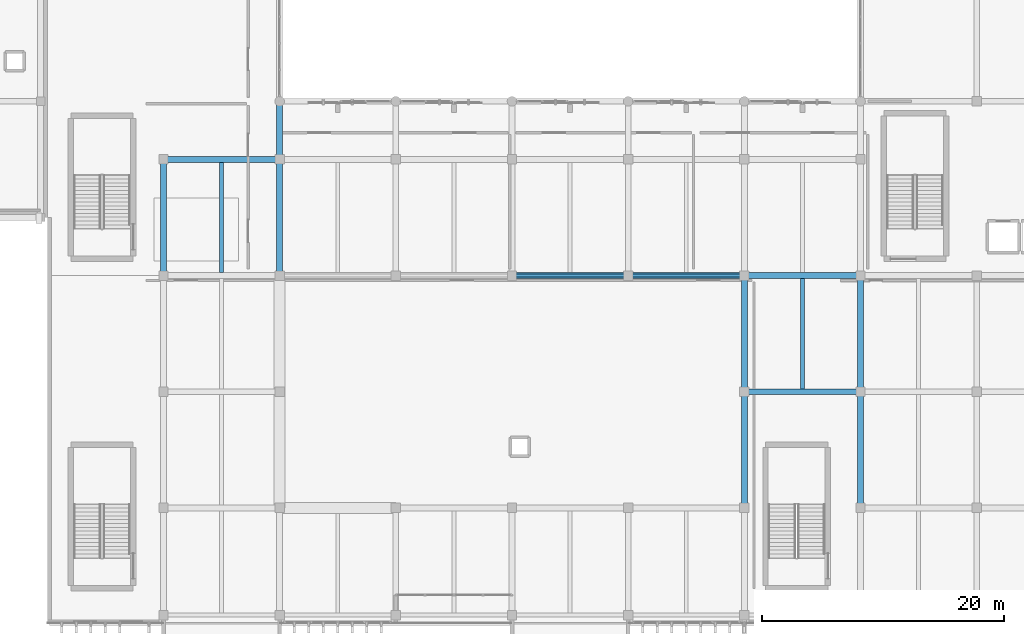
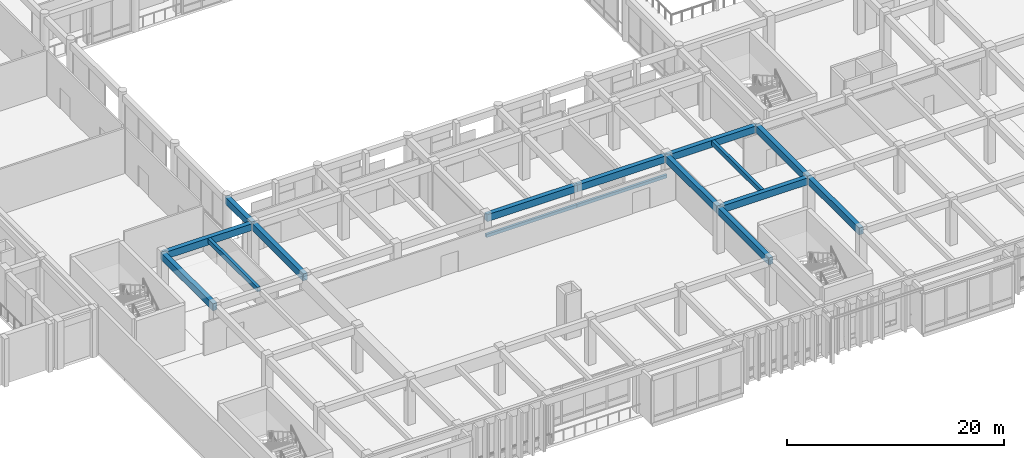
# One storey, part 23 of 134: 16 beams.
"""IFC4 building model written with IfcOpenShell, lengths in metres."""

from ifc_helpers import new_model, si_unit, direction, frame, origin, origin_2d, place, context, subcontext, project, spatial, rectangle, extrude, material, material_profile, profile_set, type_object, element, save


model = new_model("IFC4")

# Units and contexts
model_context = context("Model", 3, precision=1e-05, world=origin(), true_north=direction((0.0, 1.0)))
body_context = subcontext(model_context, "Body", "Model", "MODEL_VIEW")
ifc_project = project(units=[si_unit("LENGTHUNIT", "METRE"), si_unit("AREAUNIT", "SQUARE_METRE"), si_unit("VOLUMEUNIT", "CUBIC_METRE"), si_unit("PLANEANGLEUNIT", "RADIAN"), si_unit("MASSUNIT", "GRAM", prefix="KILO")], contexts=[model_context])

# Site, building, storey
site_placement = place(None, origin())
site = spatial("IfcSite", under=ifc_project, at=site_placement, CompositionType="ELEMENT")
building_placement = place(site_placement, origin())
building = spatial("IfcBuilding", under=site, at=building_placement, Name="Nakhvara Creek Congress Hotel", CompositionType="ELEMENT")
storey_placement = place(building_placement, frame((0.0, 0.0, 6.0)))
storey = spatial("IfcBuildingStorey", under=building, at=storey_placement, Name="L01", CompositionType="ELEMENT", Elevation=6.0)

# Beams
ifc_material = material(Name="Concrete C40/50", Category="concrete")
ifc_material_profile_1 = material_profile(ifc_material, rectangle(XDim=0.25, YDim=0.35009765625, at=origin_2d()), Name="RC-LINTEL 250x350", Category="LoadBearing")
ifc_profile_set_1 = profile_set([ifc_material_profile_1], Name="Concrete C40/50")
beam_type_1 = type_object("IfcBeamType", Name="BM-LIN-250X350", PredefinedType="LINTEL", material=ifc_profile_set_1)
beam_1_placement = place(storey_placement, frame((96.0, 28.800048828125, 2.64990234375), z_axis=(1.0, 0.0, 0.0), x_axis=(0.0, 1.0, 0.0)))
element("IfcBeam", 1, at=beam_1_placement, inside=storey, type_object=beam_type_1, Name="Opening Lintel Beam 07", PredefinedType="LINTEL", context=body_context, shape_type="SweptSolid", body=[
    extrude(rectangle(XDim=0.25, YDim=0.35009765625, at=origin_2d()), origin(), (0.0, 0.0, 1.0), 9.60009765625),
])
beam_2_placement = place(storey_placement, frame((105.60009765625, 28.800048828125, 2.64990234375), z_axis=(1.0, 0.0, 0.0), x_axis=(0.0, 1.0, 0.0)))
element("IfcBeam", 2, at=beam_2_placement, inside=storey, type_object=beam_type_1, Name="Opening Lintel Beam 08", PredefinedType="LINTEL", context=body_context, shape_type="SweptSolid", body=[
    extrude(rectangle(XDim=0.25, YDim=0.35009765625, at=origin_2d()), origin(), (0.0, 0.0, 1.0), 9.599853515625),
])
ifc_material_profile_2 = material_profile(ifc_material, rectangle(XDim=0.320068359375, YDim=0.52001953125, at=origin_2d()), Name="RC-BM 320x520", Category="LoadBearing")
ifc_profile_set_2 = profile_set([ifc_material_profile_2], Name="Concrete C40/50")
beam_type_2 = type_object("IfcBeamType", Name="BM-RC-320X520", PredefinedType="JOIST", material=ifc_profile_set_2)
beam_3_placement = place(storey_placement, frame((72.0, 29.0400390625, 4.840087890625), z_axis=(0.0, 1.0, 0.0), x_axis=(-1.0, 0.0, 0.0)))
element("IfcBeam", 3, at=beam_3_placement, inside=storey, type_object=beam_type_2, Name="Secondary Joist BJ2-L01-1365", PredefinedType="JOIST", context=body_context, shape_type="SweptSolid", body=[
    extrude(rectangle(XDim=0.320068359375, YDim=0.52001953125, at=origin_2d()), origin(), (0.0, 0.0, 1.0), 9.119873046875),
])
beam_4_placement = place(storey_placement, frame((120.0, 19.43994140625, 4.840087890625), z_axis=(0.0, 1.0, 0.0), x_axis=(-1.0, 0.0, 0.0)))
element("IfcBeam", 4, at=beam_4_placement, inside=storey, type_object=beam_type_2, Name="Secondary Joist BJ2-L01-1382", PredefinedType="JOIST", context=body_context, shape_type="SweptSolid", body=[
    extrude(rectangle(XDim=0.320068359375, YDim=0.52001953125, at=origin_2d()), origin(), (0.0, 0.0, 1.0), 9.1201171875),
])
ifc_material_profile_3 = material_profile(ifc_material, rectangle(XDim=0.47998046875, YDim=0.780029296875, at=origin_2d()), Name="RC-BM 480x780", Category="LoadBearing")
ifc_profile_set_3 = profile_set([ifc_material_profile_3], Name="Concrete C40/50")
beam_type_3 = type_object("IfcBeamType", Name="BM-RC-480X780", PredefinedType="BEAM", material=ifc_profile_set_3)
beam_5_placement = place(storey_placement, frame((67.199951171875, 28.800048828125, 4.7099609375), z_axis=(0.0, 1.0, 0.0), x_axis=(-1.0, 0.0, 0.0)))
element("IfcBeam", 5, at=beam_5_placement, inside=storey, type_object=beam_type_3, Name="Beam B13-L01-1142", PredefinedType="BEAM", context=body_context, shape_type="SweptSolid", body=[
    extrude(rectangle(XDim=0.47998046875, YDim=0.780029296875, at=origin_2d()), origin(), (0.0, 0.0, 1.0), 9.599853515625),
])
beam_6_placement = place(storey_placement, frame((67.199951171875, 38.39990234375, 4.7099609375), z_axis=(1.0, 0.0, 0.0), x_axis=(0.0, 1.0, 0.0)))
element("IfcBeam", 6, at=beam_6_placement, inside=storey, type_object=beam_type_3, Name="Beam B13-L01-1144", PredefinedType="BEAM", context=body_context, shape_type="SweptSolid", body=[
    extrude(rectangle(XDim=0.47998046875, YDim=0.780029296875, at=origin_2d()), origin(), (0.0, 0.0, 1.0), 9.60009765625),
])
beam_7_placement = place(storey_placement, frame((76.800048828125, 28.800048828125, 4.7099609375), z_axis=(0.0, 1.0, 0.0), x_axis=(-1.0, 0.0, 0.0)))
element("IfcBeam", 7, at=beam_7_placement, inside=storey, type_object=beam_type_3, Name="Beam B13-L01-1150", PredefinedType="BEAM", context=body_context, shape_type="SweptSolid", body=[
    extrude(rectangle(XDim=0.47998046875, YDim=0.780029296875, at=origin_2d()), origin(), (0.0, 0.0, 1.0), 9.599853515625),
])
beam_8_placement = place(storey_placement, frame((76.800048828125, 38.39990234375, 4.7099609375), z_axis=(0.0, 1.0, 0.0), x_axis=(-1.0, 0.0, 0.0)))
element("IfcBeam", 8, at=beam_8_placement, inside=storey, type_object=beam_type_3, Name="Beam B13-L01-1152", PredefinedType="BEAM", context=body_context, shape_type="SweptSolid", body=[
    extrude(rectangle(XDim=0.47998046875, YDim=0.780029296875, at=origin_2d()), origin(), (0.0, 0.0, 1.0), 4.800048828125),
])
beam_9_placement = place(storey_placement, frame((96.0, 28.800048828125, 4.7099609375), z_axis=(1.0, 0.0, 0.0), x_axis=(0.0, 1.0, 0.0)))
element("IfcBeam", 9, at=beam_9_placement, inside=storey, type_object=beam_type_3, Name="Beam B13-L01-1181", PredefinedType="BEAM", context=body_context, shape_type="SweptSolid", body=[
    extrude(rectangle(XDim=0.47998046875, YDim=0.780029296875, at=origin_2d()), origin(), (0.0, 0.0, 1.0), 9.60009765625),
])
for number, where, z_axis, x_axis, name in (
    (10, (105.60009765625, 28.800048828125, 4.7099609375), (1.0, 0.0, 0.0), (0.0, 1.0, 0.0), "Beam B13-L01-1194"),
    (11, (115.199951171875, 9.60009765625, 4.7099609375), (0.0, 1.0, 0.0), (-1.0, 0.0, 0.0), "Beam B13-L01-1205"),
):
    element("IfcBeam", number, at=place(storey_placement, frame(where, z_axis=z_axis, x_axis=x_axis)), inside=storey, type_object=beam_type_3, Name=name, PredefinedType="BEAM", context=body_context, shape_type="SweptSolid", body=[
        extrude(rectangle(XDim=0.47998046875, YDim=0.780029296875, at=origin_2d()), origin(), (0.0, 0.0, 1.0), 9.599853515625),
    ])
for number, where, z_axis, x_axis, name in (
    (12, (115.199951171875, 19.199951171875, 4.7099609375), (0.0, 1.0, 0.0), (-1.0, 0.0, 0.0), "Beam B13-L01-1206"),
    (13, (115.199951171875, 19.199951171875, 4.7099609375), (1.0, 0.0, 0.0), (0.0, 1.0, 0.0), "Beam B13-L01-1207"),
    (14, (115.199951171875, 28.800048828125, 4.7099609375), (1.0, 0.0, 0.0), (0.0, 1.0, 0.0), "Beam B13-L01-1209"),
):
    element("IfcBeam", number, at=place(storey_placement, frame(where, z_axis=z_axis, x_axis=x_axis)), inside=storey, type_object=beam_type_3, Name=name, PredefinedType="BEAM", context=body_context, shape_type="SweptSolid", body=[
        extrude(rectangle(XDim=0.47998046875, YDim=0.780029296875, at=origin_2d()), origin(), (0.0, 0.0, 1.0), 9.60009765625),
    ])
beam_10_placement = place(storey_placement, frame((124.800048828125, 9.60009765625, 4.7099609375), z_axis=(0.0, 1.0, 0.0), x_axis=(-1.0, 0.0, 0.0)))
element("IfcBeam", 15, at=beam_10_placement, inside=storey, type_object=beam_type_3, Name="Beam B13-L01-1219", PredefinedType="BEAM", context=body_context, shape_type="SweptSolid", body=[
    extrude(rectangle(XDim=0.47998046875, YDim=0.780029296875, at=origin_2d()), origin(), (0.0, 0.0, 1.0), 9.599853515625),
])
beam_11_placement = place(storey_placement, frame((124.800048828125, 19.199951171875, 4.7099609375), z_axis=(0.0, 1.0, 0.0), x_axis=(-1.0, 0.0, 0.0)))
element("IfcBeam", 16, at=beam_11_placement, inside=storey, type_object=beam_type_3, Name="Beam B13-L01-1221", PredefinedType="BEAM", context=body_context, shape_type="SweptSolid", body=[
    extrude(rectangle(XDim=0.47998046875, YDim=0.780029296875, at=origin_2d()), origin(), (0.0, 0.0, 1.0), 9.60009765625),
])

save(model, "model.ifc")
